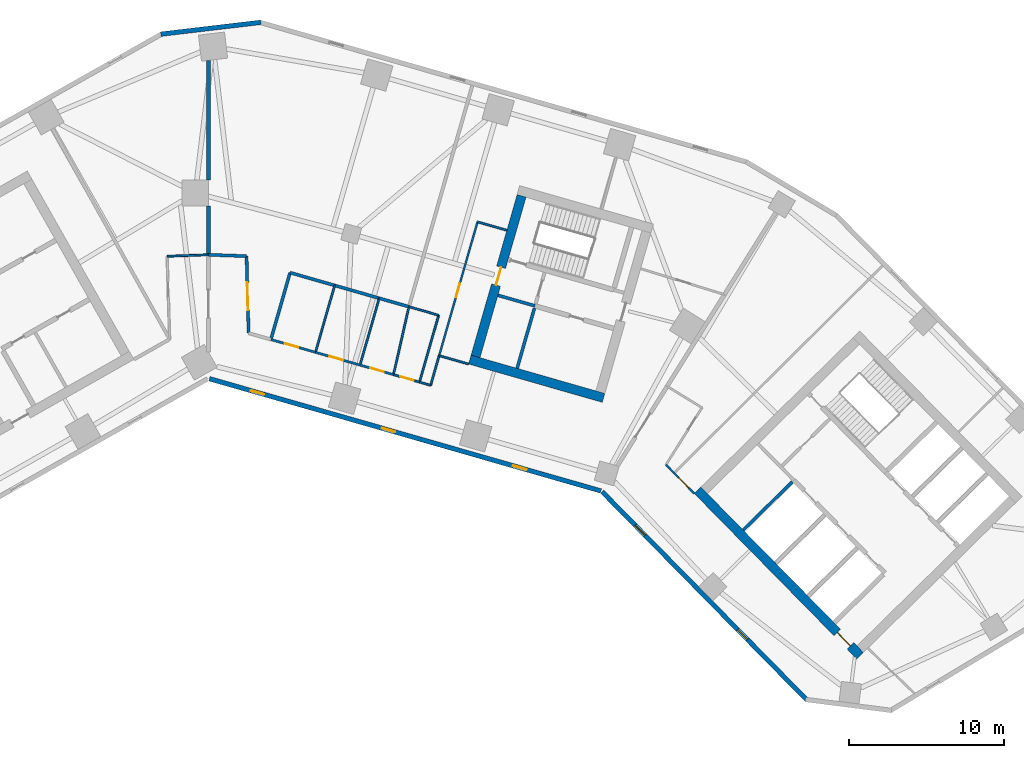
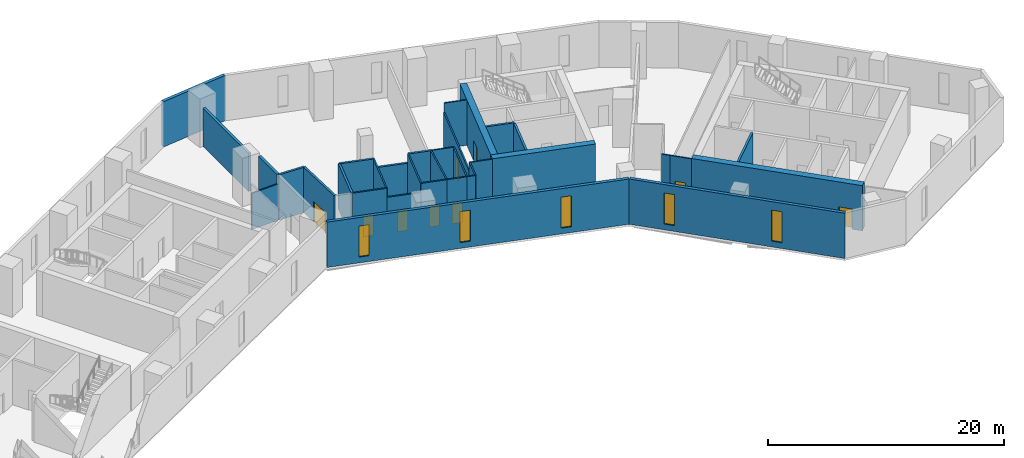
# One storey, part 5 of 10: 34 walls, 9 doors, 5 windows, 14 openings.
"""IFC4 building model written with IfcOpenShell, lengths in metres."""

from ifc_helpers import new_model, si_unit, direction, frame, frame_2d, origin, place, context, subcontext, project, spatial, rectangle, extrude, material, layer, layer_set, type_object, element, fill, save


model = new_model("IFC4")

# Units and contexts
model_context = context("Model", 3, precision=1e-05, world=origin(), true_north=direction((0.0, 1.0)))
body_context = subcontext(model_context, "Body", "Model", "MODEL_VIEW")
ifc_project = project(units=[si_unit("LENGTHUNIT", "METRE"), si_unit("AREAUNIT", "SQUARE_METRE"), si_unit("VOLUMEUNIT", "CUBIC_METRE"), si_unit("PLANEANGLEUNIT", "RADIAN"), si_unit("MASSUNIT", "GRAM", prefix="KILO")], contexts=[model_context])

# Site, building, storey
site_placement = place(None, origin())
site = spatial("IfcSite", under=ifc_project, at=site_placement, CompositionType="ELEMENT")
building_placement = place(site_placement, origin())
building = spatial("IfcBuilding", under=site, at=building_placement, Name="Binnacle Exchange Tower", CompositionType="ELEMENT")
storey_placement = place(building_placement, frame((0.0, 0.0, 61.5)))
storey = spatial("IfcBuildingStorey", under=building, at=storey_placement, Name="L12", CompositionType="ELEMENT", Elevation=61.5)

# Wall, opening, door
ifc_material_1 = material(Name="Concrete C70/85", Category="concrete")
ifc_layer_1 = layer(ifc_material_1, 0.60009765625)
ifc_layer_set_1 = layer_set([ifc_layer_1], Name="Core wall - outer 600")
wall_type_1 = type_object("IfcWallType", Name="Core wall - outer 600", PredefinedType="SOLIDWALL", material=ifc_layer_set_1)
wall_1_placement = place(storey_placement, frame((31.6455078125, 40.7626953125, 0.0), z_axis=(0.0, 0.0, 1.0), x_axis=(0.700911255944, -0.713248491965, 0.0)))
wall_1 = element("IfcWall", 1, at=wall_1_placement, inside=storey, type_object=wall_type_1, Name="Core wall CRWB1", PredefinedType="SOLIDWALL", context=body_context, shape_type="SweptSolid", body=[
    extrude(rectangle(XDim=15.0, YDim=0.60009765625, at=frame_2d((7.5, 0.0))), origin(), (0.0, 0.0, 1.0), 4.679931640625),
])
opening_1_placement = place(wall_1_placement, frame((12.89990234375, 0.0, 0.0)))
opening_1 = element("IfcOpeningElement", 2, at=opening_1_placement, cuts=wall_1, Name="Opening DB7", PredefinedType="OPENING", context=body_context, shape_type="SweptSolid", body=[
    extrude(rectangle(XDim=1.199951171875, YDim=2.10009765625, at=frame_2d((0.60009765625, 1.050048828125))), frame((0.0, 0.31005859375, 0.0), z_axis=(0.0, -1.0, 0.0), x_axis=(1.0, 0.0, 0.0)), (0.0, 0.0, 1.0), 0.6201171875),
])
ifc_material_2 = material(Name="Steel door leaf", Category="steel")
door_type_1 = type_object("IfcDoorType", Name="Fire door 1200", OperationType="NOTDEFINED", PredefinedType="DOOR", material=ifc_material_2)
door_1_placement = place(opening_1_placement, frame((1.199951171875, 0.0, 0.0), z_axis=(0.0, 0.0, 1.0), x_axis=(-1.0, 0.0, 0.0)))
door_1 = element("IfcDoor", 3, at=door_1_placement, inside=storey, type_object=door_type_1, Name="Lift lobby entrance door core B", OperationType="SINGLE_SWING_LEFT", OverallHeight=2.10009765625, OverallWidth=1.199951171875, PredefinedType="DOOR", context=body_context, shape_type="SweptSolid", body=[
    extrude(rectangle(XDim=1.199951171875, YDim=2.10009765625, at=frame_2d((0.60009765625, 1.050048828125))), frame((0.0, 0.02490234375, 0.0), z_axis=(0.0, -1.0, 0.0), x_axis=(1.0, 0.0, 0.0)), (0.0, 0.0, 1.0), 0.050048828125),
])
fill(opening_1, door_1)

# Wall
wall_2_placement = place(storey_placement, frame((16.91064453125, 49.22119140625, 0.0), z_axis=(0.0, 0.0, 1.0), x_axis=(0.96126248289, -0.275634611374, 0.0)))
element("IfcWall", 4, at=wall_2_placement, inside=storey, type_object=wall_type_1, Name="Core wall CRWD1", PredefinedType="SOLIDWALL", context=body_context, shape_type="SweptSolid", body=[
    extrude(rectangle(XDim=9.0, YDim=0.60009765625, at=frame_2d((4.5, 0.0))), origin(), (0.0, 0.0, 1.0), 4.679931640625),
])

# Wall, opening, door
wall_3_placement = place(storey_placement, frame((17.28173828125, 49.427001953125, 0.0), z_axis=(0.0, 0.0, 1.0), x_axis=(0.275631631629, 0.961263337304, 0.0)))
wall_3 = element("IfcWall", 5, at=wall_3_placement, inside=storey, type_object=wall_type_1, Name="Core wall CRWD7", PredefinedType="SOLIDWALL", context=body_context, shape_type="SweptSolid", body=[
    extrude(rectangle(XDim=10.800048828125, YDim=0.60009765625, at=frame_2d((5.39990234375, 0.0))), origin(), (0.0, 0.0, 1.0), 4.679931640625),
])
opening_2_placement = place(wall_3_placement, frame((4.800048828125, 0.0, 0.0)))
opening_2 = element("IfcOpeningElement", 6, at=opening_2_placement, cuts=wall_3, Name="Opening DD5", PredefinedType="OPENING", context=body_context, shape_type="SweptSolid", body=[
    extrude(rectangle(XDim=1.199951171875, YDim=2.10009765625, at=frame_2d((0.60009765625, 1.050048828125))), frame((0.0, 0.31005859375, 0.0), z_axis=(0.0, -1.0, 0.0), x_axis=(1.0, 0.0, 0.0)), (0.0, 0.0, 1.0), 0.6201171875),
])
door_2_placement = place(opening_2_placement, origin())
door_2 = element("IfcDoor", 7, at=door_2_placement, inside=storey, type_object=door_type_1, Name="Vestibule exit door VEST-W", OperationType="SINGLE_SWING_RIGHT", OverallHeight=2.10009765625, OverallWidth=1.199951171875, PredefinedType="DOOR", context=body_context, shape_type="SweptSolid", body=[
    extrude(rectangle(XDim=1.199951171875, YDim=2.10009765625, at=frame_2d((0.60009765625, 1.050048828125))), frame((0.0, 0.02490234375, 0.0), z_axis=(0.0, -1.0, 0.0), x_axis=(1.0, 0.0, 0.0)), (0.0, 0.0, 1.0), 0.050048828125),
])
fill(opening_2, door_2)

# Wall
ifc_material_3 = material(Name="Bronze aluminium cladding", Category="aluminium")
ifc_layer_2 = layer(ifc_material_3, 0.300048828125)
ifc_layer_set_2 = layer_set([ifc_layer_2], Name="External wall - spandrel 300")
wall_type_2 = type_object("IfcWallType", Name="External wall - spandrel 300", PredefinedType="STANDARD", material=ifc_layer_set_2)
wall_4_placement = place(storey_placement, frame((-3.076171875, 70.27294921875, 0.0), z_axis=(0.0, 0.0, 1.0), x_axis=(0.993067743007, 0.117543429416, 0.0)))
element("IfcWall", 8, at=wall_4_placement, inside=storey, type_object=wall_type_2, Name="External wall EW-F02 L12", PredefinedType="STANDARD", context=body_context, shape_type="SweptSolid", body=[
    extrude(rectangle(XDim=6.515625, YDim=0.300048828125, at=frame_2d((3.2578125, 0.0))), origin(), (0.0, 0.0, 1.0), 4.679931640625),
])

# Wall, openings, windows
wall_5_placement = place(storey_placement, frame((25.398193359375, 40.71728515625, 0.0), z_axis=(0.0, 0.0, 1.0), x_axis=(-0.961262423262, 0.275634819324, 0.0)))
wall_5 = element("IfcWall", 9, at=wall_5_placement, inside=storey, type_object=wall_type_2, Name="External wall EW-F08 L12", PredefinedType="STANDARD", context=body_context, shape_type="SweptSolid", body=[
    extrude(rectangle(XDim=26.358642578125, YDim=0.300048828125, at=frame_2d((13.17919921875, 0.0))), origin(), (0.0, 0.0, 1.0), 4.679931640625),
])
opening_3_placement = place(wall_5_placement, frame((22.6640625, 0.0, 0.60009765625)))
opening_3 = element("IfcOpeningElement", 10, at=opening_3_placement, cuts=wall_5, Name="Opening WS1", PredefinedType="OPENING", context=body_context, shape_type="SweptSolid", body=[
    extrude(rectangle(XDim=0.89990234375, YDim=3.199951171875, at=frame_2d((0.449951171875, 1.60009765625))), frame((0.0, 0.159912109375, 0.0), z_axis=(0.0, -1.0, 0.0), x_axis=(1.0, 0.0, 0.0)), (0.0, 0.0, 1.0), 0.320068359375),
])
opening_4_placement = place(wall_5_placement, frame((13.843505859375, 0.0, 0.60009765625)))
opening_4 = element("IfcOpeningElement", 11, at=opening_4_placement, cuts=wall_5, Name="Opening WS1", PredefinedType="OPENING", context=body_context, shape_type="SweptSolid", body=[
    extrude(rectangle(XDim=0.89990234375, YDim=3.199951171875, at=frame_2d((0.449951171875, 1.60009765625))), frame((0.0, 0.159912109375, 0.0), z_axis=(0.0, -1.0, 0.0), x_axis=(1.0, 0.0, 0.0)), (0.0, 0.0, 1.0), 0.320068359375),
])
opening_5_placement = place(wall_5_placement, frame((5.023193359375, 0.0, 0.60009765625)))
opening_5 = element("IfcOpeningElement", 12, at=opening_5_placement, cuts=wall_5, Name="Opening WS1", PredefinedType="OPENING", context=body_context, shape_type="SweptSolid", body=[
    extrude(rectangle(XDim=0.89990234375, YDim=3.199951171875, at=frame_2d((0.449951171875, 1.60009765625))), frame((0.0, 0.159912109375, 0.0), z_axis=(0.0, -1.0, 0.0), x_axis=(1.0, 0.0, 0.0)), (0.0, 0.0, 1.0), 0.320068359375),
])
ifc_material_4 = material(Name="Bronze anodised aluminium frame", Category="aluminium")
window_type = type_object("IfcWindowType", Name="WS1 WINDOW 900x3200", PartitioningType="SINGLE_PANEL", PredefinedType="WINDOW", material=ifc_material_4)
window_1_placement = place(opening_3_placement, origin())
window_1 = element("IfcWindow", 13, at=window_1_placement, inside=storey, type_object=window_type, Name="Window WS1 L12", OverallHeight=3.199951171875, OverallWidth=0.89990234375, PartitioningType="SINGLE_PANEL", PredefinedType="WINDOW", context=body_context, shape_type="SweptSolid", body=[
    extrude(rectangle(XDim=0.89990234375, YDim=3.199951171875, at=frame_2d((0.449951171875, 1.60009765625))), frame((0.0, 0.030029296875, 0.0), z_axis=(0.0, -1.0, 0.0), x_axis=(1.0, 0.0, 0.0)), (0.0, 0.0, 1.0), 0.06005859375),
])
fill(opening_3, window_1)
window_2_placement = place(opening_4_placement, origin())
window_2 = element("IfcWindow", 14, at=window_2_placement, inside=storey, type_object=window_type, Name="Window WS1 L12", OverallHeight=3.199951171875, OverallWidth=0.89990234375, PartitioningType="SINGLE_PANEL", PredefinedType="WINDOW", context=body_context, shape_type="SweptSolid", body=[
    extrude(rectangle(XDim=0.89990234375, YDim=3.199951171875, at=frame_2d((0.449951171875, 1.60009765625))), frame((0.0, 0.030029296875, 0.0), z_axis=(0.0, -1.0, 0.0), x_axis=(1.0, 0.0, 0.0)), (0.0, 0.0, 1.0), 0.06005859375),
])
fill(opening_4, window_2)
window_3_placement = place(opening_5_placement, origin())
window_3 = element("IfcWindow", 15, at=window_3_placement, inside=storey, type_object=window_type, Name="Window WS1 L12", OverallHeight=3.199951171875, OverallWidth=0.89990234375, PartitioningType="SINGLE_PANEL", PredefinedType="WINDOW", context=body_context, shape_type="SweptSolid", body=[
    extrude(rectangle(XDim=0.89990234375, YDim=3.199951171875, at=frame_2d((0.449951171875, 1.60009765625))), frame((0.0, 0.030029296875, 0.0), z_axis=(0.0, -1.0, 0.0), x_axis=(1.0, 0.0, 0.0)), (0.0, 0.0, 1.0), 0.06005859375),
])
fill(opening_5, window_3)

wall_6_placement = place(storey_placement, frame((38.727294921875, 27.18115234375, 0.0), z_axis=(0.0, 0.0, 1.0), x_axis=(-0.700906405975, 0.713253258011, 0.0)))
wall_6 = element("IfcWall", 16, at=wall_6_placement, inside=storey, type_object=wall_type_2, Name="External wall EW-F09 L12", PredefinedType="STANDARD", context=body_context, shape_type="SweptSolid", body=[
    extrude(rectangle(XDim=18.92333984375, YDim=0.300048828125, at=frame_2d((9.461669921875, 0.0))), origin(), (0.0, 0.0, 1.0), 4.679931640625),
])
opening_6_placement = place(wall_6_placement, frame((14.967041015625, 0.0, 0.60009765625)))
opening_6 = element("IfcOpeningElement", 17, at=opening_6_placement, cuts=wall_6, Name="Opening WS1", PredefinedType="OPENING", context=body_context, shape_type="SweptSolid", body=[
    extrude(rectangle(XDim=0.89990234375, YDim=3.199951171875, at=frame_2d((0.449951171875, 1.60009765625))), frame((0.0, 0.159912109375, 0.0), z_axis=(0.0, -1.0, 0.0), x_axis=(1.0, 0.0, 0.0)), (0.0, 0.0, 1.0), 0.320068359375),
])
opening_7_placement = place(wall_6_placement, frame((5.51171875, 0.0, 0.60009765625)))
opening_7 = element("IfcOpeningElement", 18, at=opening_7_placement, cuts=wall_6, Name="Opening WS1", PredefinedType="OPENING", context=body_context, shape_type="SweptSolid", body=[
    extrude(rectangle(XDim=0.89990234375, YDim=3.199951171875, at=frame_2d((0.449951171875, 1.60009765625))), frame((0.0, 0.159912109375, 0.0), z_axis=(0.0, -1.0, 0.0), x_axis=(1.0, 0.0, 0.0)), (0.0, 0.0, 1.0), 0.320068359375),
])
window_4_placement = place(opening_6_placement, origin())
window_4 = element("IfcWindow", 19, at=window_4_placement, inside=storey, type_object=window_type, Name="Window WS1 L12", OverallHeight=3.199951171875, OverallWidth=0.89990234375, PartitioningType="SINGLE_PANEL", PredefinedType="WINDOW", context=body_context, shape_type="SweptSolid", body=[
    extrude(rectangle(XDim=0.89990234375, YDim=3.199951171875, at=frame_2d((0.449951171875, 1.60009765625))), frame((0.0, 0.030029296875, 0.0), z_axis=(0.0, -1.0, 0.0), x_axis=(1.0, 0.0, 0.0)), (0.0, 0.0, 1.0), 0.06005859375),
])
fill(opening_6, window_4)
window_5_placement = place(opening_7_placement, origin())
window_5 = element("IfcWindow", 20, at=window_5_placement, inside=storey, type_object=window_type, Name="Window WS1 L12", OverallHeight=3.199951171875, OverallWidth=0.89990234375, PartitioningType="SINGLE_PANEL", PredefinedType="WINDOW", context=body_context, shape_type="SweptSolid", body=[
    extrude(rectangle(XDim=0.89990234375, YDim=3.199951171875, at=frame_2d((0.449951171875, 1.60009765625))), frame((0.0, 0.030029296875, 0.0), z_axis=(0.0, -1.0, 0.0), x_axis=(1.0, 0.0, 0.0)), (0.0, 0.0, 1.0), 0.06005859375),
])
fill(opening_7, window_5)

# Wall
ifc_material_5 = material(Name="Masonry block wall", Category="masonry")
ifc_layer_3 = layer(ifc_material_5, 0.199951171875)
ifc_layer_set_3 = layer_set([ifc_layer_3], Name="Fire wall - block 200")
wall_type_3 = type_object("IfcWallType", Name="Fire wall - block 200", PredefinedType="PARTITIONING", material=ifc_layer_set_3)
wall_7_placement = place(storey_placement, frame((0.0, 56.0, 0.0), z_axis=(0.0, 0.0, 1.0), x_axis=(0.999349313684, -0.036068673934, 0.0)))
element("IfcWall", 21, at=wall_7_placement, inside=storey, type_object=wall_type_3, Name="Partition W11", PredefinedType="PARTITIONING", context=body_context, shape_type="SweptSolid", body=[
    extrude(rectangle(XDim=2.470703125, YDim=0.199951171875, at=frame_2d((1.2353515625, 0.0))), origin(), (0.0, 0.0, 1.0), 4.679931640625),
])

# Wall, opening, door
wall_8_placement = place(storey_placement, frame((2.468994140625, 55.910888671875, 0.0), z_axis=(0.0, 0.0, 1.0), x_axis=(0.02651808123, -0.999648333849, 0.0)))
wall_8 = element("IfcWall", 22, at=wall_8_placement, inside=storey, type_object=wall_type_3, Name="Partition W13", PredefinedType="PARTITIONING", context=body_context, shape_type="SweptSolid", body=[
    extrude(rectangle(XDim=4.980712890625, YDim=0.199951171875, at=frame_2d((2.490234375, 0.0))), origin(), (0.0, 0.0, 1.0), 4.679931640625),
])
opening_8_placement = place(wall_8_placement, frame((1.699951171875, 0.0, 0.0)))
opening_8 = element("IfcOpeningElement", 23, at=opening_8_placement, cuts=wall_8, Name="Opening DL11-08", PredefinedType="OPENING", context=body_context, shape_type="SweptSolid", body=[
    extrude(rectangle(XDim=1.800048828125, YDim=2.10009765625, at=frame_2d((0.89990234375, 1.050048828125))), frame((0.0, 0.10986328125, 0.0), z_axis=(0.0, -1.0, 0.0), x_axis=(1.0, 0.0, 0.0)), (0.0, 0.0, 1.0), 0.219970703125),
])
door_type_2 = type_object("IfcDoorType", Name="Fire door 1800", OperationType="NOTDEFINED", PredefinedType="DOOR", material=ifc_material_2)
door_3_placement = place(opening_8_placement, origin())
door_3 = element("IfcDoor", 24, at=door_3_placement, inside=storey, type_object=door_type_2, Name="Door DL11-08", OperationType="DOUBLE_DOOR_SINGLE_SWING", OverallHeight=2.10009765625, OverallWidth=1.800048828125, PredefinedType="DOOR", context=body_context, shape_type="SweptSolid", body=[
    extrude(rectangle(XDim=1.800048828125, YDim=2.10009765625, at=frame_2d((0.89990234375, 1.050048828125))), frame((0.0, 0.02490234375, 0.0), z_axis=(0.0, -1.0, 0.0), x_axis=(1.0, 0.0, 0.0)), (0.0, 0.0, 1.0), 0.050048828125),
])
fill(opening_8, door_3)

# Walls
wall_9_placement = place(storey_placement, frame((4.04296875, 50.51806640625, 0.0), z_axis=(0.0, 0.0, 1.0), x_axis=(0.275745553681, 0.96123066411, 0.0)))
element("IfcWall", 25, at=wall_9_placement, inside=storey, type_object=wall_type_3, Name="Partition W15", PredefinedType="PARTITIONING", context=body_context, shape_type="SweptSolid", body=[
    extrude(rectangle(XDim=4.50048828125, YDim=0.199951171875, at=frame_2d((2.250244140625, 0.0))), origin(), (0.0, 0.0, 1.0), 4.679931640625),
])
wall_10_placement = place(storey_placement, frame((5.283935546875, 54.843994140625, 0.0), z_axis=(0.0, 0.0, 1.0), x_axis=(0.961243927922, -0.275699312717, 0.0)))
element("IfcWall", 26, at=wall_10_placement, inside=storey, type_object=wall_type_3, Name="Partition W17", PredefinedType="PARTITIONING", context=body_context, shape_type="SweptSolid", body=[
    extrude(rectangle(XDim=2.999267578125, YDim=0.199951171875, at=frame_2d((1.49951171875, 0.0))), origin(), (0.0, 0.0, 1.0), 4.679931640625),
])
wall_11_placement = place(storey_placement, frame((8.1669921875, 54.01708984375, 0.0), z_axis=(0.0, 0.0, 1.0), x_axis=(0.961247103494, -0.275688240636, 0.0)))
element("IfcWall", 27, at=wall_11_placement, inside=storey, type_object=wall_type_3, Name="Partition W20", PredefinedType="PARTITIONING", context=body_context, shape_type="SweptSolid", body=[
    extrude(rectangle(XDim=3.000244140625, YDim=0.199951171875, at=frame_2d((1.5, 0.0))), origin(), (0.0, 0.0, 1.0), 3.741943359375),
])
wall_12_placement = place(storey_placement, frame((11.051025390625, 53.18994140625, 0.0), z_axis=(0.0, 0.0, 1.0), x_axis=(0.961316434736, -0.275446387355, 0.0)))
element("IfcWall", 28, at=wall_12_placement, inside=storey, type_object=wall_type_3, Name="Partition W23", PredefinedType="PARTITIONING", context=body_context, shape_type="SweptSolid", body=[
    extrude(rectangle(XDim=2.00048828125, YDim=0.199951171875, at=frame_2d((1.000244140625, 0.0))), origin(), (0.0, 0.0, 1.0), 4.679931640625),
])
ifc_material_6 = material(Name="Concrete fire wall C30/37", Category="concrete")
ifc_layer_4 = layer(ifc_material_6, 0.25)
ifc_layer_set_4 = layer_set([ifc_layer_4], Name="Fire wall - compartment 250")
wall_type_4 = type_object("IfcWallType", Name="Fire wall - compartment 250", PredefinedType="PARTITIONING", material=ifc_layer_set_4)
wall_13_placement = place(storey_placement, frame((0.0, 56.0, 0.0), z_axis=(0.0, 0.0, 1.0), x_axis=(0.0, 1.0, 0.0)))
element("IfcWall", 29, at=wall_13_placement, inside=storey, type_object=wall_type_4, Name="Fire Wall W10", PredefinedType="PARTITIONING", context=body_context, shape_type="SweptSolid", body=[
    extrude(rectangle(XDim=3.14990234375, YDim=0.25, at=frame_2d((1.574951171875, 0.0))), origin(), (0.0, 0.0, 1.0), 4.679931640625),
])
wall_14_placement = place(storey_placement, frame((0.0, 60.85009765625, 0.0), z_axis=(0.0, 0.0, 1.0), x_axis=(0.0, 1.0, 0.0)))
element("IfcWall", 30, at=wall_14_placement, inside=storey, type_object=wall_type_4, Name="Fire Wall W12", PredefinedType="PARTITIONING", context=body_context, shape_type="SweptSolid", body=[
    extrude(rectangle(XDim=7.722900390625, YDim=0.25, at=frame_2d((3.861328125, 0.0))), origin(), (0.0, 0.0, 1.0), 3.951904296875),
])

# Wall, opening, door
ifc_material_7 = material(Name="Gypsum partition fire rated")
ifc_layer_5 = layer(ifc_material_7, 0.14990234375)
ifc_layer_set_5 = layer_set([ifc_layer_5], Name="Fire-rated partition 150")
wall_type_5 = type_object("IfcWallType", Name="Fire-rated partition 150", PredefinedType="PARTITIONING", material=ifc_layer_set_5)
wall_15_placement = place(storey_placement, frame((4.04296875, 50.51806640625, 0.0), z_axis=(0.0, 0.0, 1.0), x_axis=(0.961247103494, -0.275688240636, 0.0)))
wall_15 = element("IfcWall", 31, at=wall_15_placement, inside=storey, type_object=wall_type_5, Name="Partition W16", PredefinedType="PARTITIONING", context=body_context, shape_type="SweptSolid", body=[
    extrude(rectangle(XDim=3.000244140625, YDim=0.14990234375, at=frame_2d((1.5, 0.0))), origin(), (0.0, 0.0, 1.0), 4.679931640625),
])
opening_9_placement = place(wall_15_placement, frame((0.949951171875, 0.0, 0.0)))
opening_9 = element("IfcOpeningElement", 32, at=opening_9_placement, cuts=wall_15, Name="Opening DL11-04", PredefinedType="OPENING", context=body_context, shape_type="SweptSolid", body=[
    extrude(rectangle(XDim=0.89990234375, YDim=2.10009765625, at=frame_2d((0.449951171875, 1.050048828125))), frame((0.0, 0.0849609375, 0.0), z_axis=(0.0, -1.0, 0.0), x_axis=(1.0, 0.0, 0.0)), (0.0, 0.0, 1.0), 0.169921875),
])
door_type_3 = type_object("IfcDoorType", Name="Fire door 900", OperationType="NOTDEFINED", PredefinedType="DOOR", material=ifc_material_2)
door_4_placement = place(opening_9_placement, origin())
door_4 = element("IfcDoor", 33, at=door_4_placement, inside=storey, type_object=door_type_3, Name="Door DL11-04", OperationType="SINGLE_SWING_LEFT", OverallHeight=2.10009765625, OverallWidth=0.89990234375, PredefinedType="DOOR", context=body_context, shape_type="SweptSolid", body=[
    extrude(rectangle(XDim=0.89990234375, YDim=2.10009765625, at=frame_2d((0.449951171875, 1.050048828125))), frame((0.0, 0.02490234375, 0.0), z_axis=(0.0, -1.0, 0.0), x_axis=(1.0, 0.0, 0.0)), (0.0, 0.0, 1.0), 0.050048828125),
])
fill(opening_9, door_4)

wall_16_placement = place(storey_placement, frame((6.927001953125, 49.69091796875, 0.0), z_axis=(0.0, 0.0, 1.0), x_axis=(0.961268664977, -0.27561305073, 0.0)))
wall_16 = element("IfcWall", 34, at=wall_16_placement, inside=storey, type_object=wall_type_5, Name="Partition W19", PredefinedType="PARTITIONING", context=body_context, shape_type="SweptSolid", body=[
    extrude(rectangle(XDim=3.000244140625, YDim=0.14990234375, at=frame_2d((1.5, 0.0))), origin(), (0.0, 0.0, 1.0), 3.741943359375),
])
opening_10_placement = place(wall_16_placement, frame((0.949951171875, 0.0, 0.0)))
opening_10 = element("IfcOpeningElement", 35, at=opening_10_placement, cuts=wall_16, Name="Opening DL11-05", PredefinedType="OPENING", context=body_context, shape_type="SweptSolid", body=[
    extrude(rectangle(XDim=0.89990234375, YDim=2.10009765625, at=frame_2d((0.449951171875, 1.050048828125))), frame((0.0, 0.0849609375, 0.0), z_axis=(0.0, -1.0, 0.0), x_axis=(1.0, 0.0, 0.0)), (0.0, 0.0, 1.0), 0.169921875),
])
door_5_placement = place(opening_10_placement, origin())
door_5 = element("IfcDoor", 36, at=door_5_placement, inside=storey, type_object=door_type_3, Name="Door DL11-05", OperationType="SINGLE_SWING_LEFT", OverallHeight=2.10009765625, OverallWidth=0.89990234375, PredefinedType="DOOR", context=body_context, shape_type="SweptSolid", body=[
    extrude(rectangle(XDim=0.89990234375, YDim=2.10009765625, at=frame_2d((0.449951171875, 1.050048828125))), frame((0.0, 0.02490234375, 0.0), z_axis=(0.0, -1.0, 0.0), x_axis=(1.0, 0.0, 0.0)), (0.0, 0.0, 1.0), 0.050048828125),
])
fill(opening_10, door_5)

wall_17_placement = place(storey_placement, frame((9.81103515625, 48.864013671875, 0.0), z_axis=(0.0, 0.0, 1.0), x_axis=(0.961236680145, -0.275724581318, 0.0)))
wall_17 = element("IfcWall", 37, at=wall_17_placement, inside=storey, type_object=wall_type_5, Name="Partition W22", PredefinedType="PARTITIONING", context=body_context, shape_type="SweptSolid", body=[
    extrude(rectangle(XDim=2.2490234375, YDim=0.14990234375, at=frame_2d((1.12451171875, 0.0))), origin(), (0.0, 0.0, 1.0), 4.679931640625),
])
opening_11_placement = place(wall_17_placement, frame((0.699951171875, 0.0, 0.0)))
opening_11 = element("IfcOpeningElement", 38, at=opening_11_placement, cuts=wall_17, Name="Opening DL11-06", PredefinedType="OPENING", context=body_context, shape_type="SweptSolid", body=[
    extrude(rectangle(XDim=0.89990234375, YDim=2.10009765625, at=frame_2d((0.449951171875, 1.050048828125))), frame((0.0, 0.0849609375, 0.0), z_axis=(0.0, -1.0, 0.0), x_axis=(1.0, 0.0, 0.0)), (0.0, 0.0, 1.0), 0.169921875),
])
door_6_placement = place(opening_11_placement, origin())
door_6 = element("IfcDoor", 39, at=door_6_placement, inside=storey, type_object=door_type_3, Name="Door DL11-06", OperationType="SINGLE_SWING_RIGHT", OverallHeight=2.10009765625, OverallWidth=0.89990234375, PredefinedType="DOOR", context=body_context, shape_type="SweptSolid", body=[
    extrude(rectangle(XDim=0.89990234375, YDim=2.10009765625, at=frame_2d((0.449951171875, 1.050048828125))), frame((0.0, 0.02490234375, 0.0), z_axis=(0.0, -1.0, 0.0), x_axis=(1.0, 0.0, 0.0)), (0.0, 0.0, 1.0), 0.050048828125),
])
fill(opening_11, door_6)

# Walls
ifc_material_8 = material(Name="Gypsum partition")
ifc_layer_6 = layer(ifc_material_8, 0.125)
ifc_layer_set_6 = layer_set([ifc_layer_6], Name="Partition 125")
wall_type_6 = type_object("IfcWallType", Name="Partition 125", PredefinedType="PARTITIONING", material=ifc_layer_set_6)
wall_18_placement = place(storey_placement, frame((-2.669921875, 55.904052734375, 0.0), z_axis=(0.0, 0.0, 1.0), x_axis=(0.999354913865, 0.03591317494, 0.0)))
element("IfcWall", 40, at=wall_18_placement, inside=storey, type_object=wall_type_6, Name="Partition W08", PredefinedType="PARTITIONING", context=body_context, shape_type="SweptSolid", body=[
    extrude(rectangle(XDim=2.671630859375, YDim=0.125, at=frame_2d((1.3359375, 0.0))), origin(), (0.0, 0.0, 1.0), 3.741943359375),
])
wall_19_placement = place(storey_placement, frame((6.927001953125, 49.69091796875, 0.0), z_axis=(0.0, 0.0, 1.0), x_axis=(0.275530671241, 0.961292280841, 0.0)))
element("IfcWall", 41, at=wall_19_placement, inside=storey, type_object=wall_type_6, Name="Partition W18", PredefinedType="PARTITIONING", context=body_context, shape_type="SweptSolid", body=[
    extrude(rectangle(XDim=4.50048828125, YDim=0.125, at=frame_2d((2.250244140625, 0.0))), origin(), (0.0, 0.0, 1.0), 4.679931640625),
])
wall_20_placement = place(storey_placement, frame((9.81103515625, 48.864013671875, 0.0), z_axis=(0.0, 0.0, 1.0), x_axis=(0.275545040649, 0.96128816209, 0.0)))
element("IfcWall", 42, at=wall_20_placement, inside=storey, type_object=wall_type_6, Name="Partition W21", PredefinedType="PARTITIONING", context=body_context, shape_type="SweptSolid", body=[
    extrude(rectangle(XDim=4.500244140625, YDim=0.125, at=frame_2d((2.25, 0.0))), origin(), (0.0, 0.0, 1.0), 4.679931640625),
])
wall_21_placement = place(storey_placement, frame((11.972900390625, 48.243896484375, 0.0), z_axis=(0.0, 0.0, 1.0), x_axis=(0.222117362571, 0.975019936845, 0.0)))
element("IfcWall", 43, at=wall_21_placement, inside=storey, type_object=wall_type_6, Name="Partition W24", PredefinedType="PARTITIONING", context=body_context, shape_type="SweptSolid", body=[
    extrude(rectangle(XDim=4.507568359375, YDim=0.125, at=frame_2d((2.25390625, 0.0))), origin(), (0.0, 0.0, 1.0), 4.679931640625),
])

# Wall, opening, door
wall_22_placement = place(storey_placement, frame((11.972900390625, 48.243896484375, 0.0), z_axis=(0.0, 0.0, 1.0), x_axis=(0.96136592135, -0.275273618907, 0.0)))
wall_22 = element("IfcWall", 44, at=wall_22_placement, inside=storey, type_object=wall_type_6, Name="Partition W25", PredefinedType="PARTITIONING", context=body_context, shape_type="SweptSolid", body=[
    extrude(rectangle(XDim=1.750732421875, YDim=0.125, at=frame_2d((0.87548828125, 0.0))), origin(), (0.0, 0.0, 1.0), 4.679931640625),
])
opening_12_placement = place(wall_22_placement, frame((0.449951171875, 0.0, 0.0)))
opening_12 = element("IfcOpeningElement", 45, at=opening_12_placement, cuts=wall_22, Name="Opening DL11-07", PredefinedType="OPENING", context=body_context, shape_type="SweptSolid", body=[
    extrude(rectangle(XDim=0.89990234375, YDim=2.10009765625, at=frame_2d((0.449951171875, 1.050048828125))), frame((0.0, 0.072509765625, 0.0), z_axis=(0.0, -1.0, 0.0), x_axis=(1.0, 0.0, 0.0)), (0.0, 0.0, 1.0), 0.14501953125),
])
ifc_material_9 = material(Name="Timber door leaf", Category="wood")
door_type_4 = type_object("IfcDoorType", Name="Door 900", OperationType="NOTDEFINED", PredefinedType="DOOR", material=ifc_material_9)
door_7_placement = place(opening_12_placement, origin())
door_7 = element("IfcDoor", 46, at=door_7_placement, inside=storey, type_object=door_type_4, Name="Door DL11-07", OperationType="SINGLE_SWING_RIGHT", OverallHeight=2.10009765625, OverallWidth=0.89990234375, PredefinedType="DOOR", context=body_context, shape_type="SweptSolid", body=[
    extrude(rectangle(XDim=0.89990234375, YDim=2.10009765625, at=frame_2d((0.449951171875, 1.050048828125))), frame((0.0, 0.02490234375, 0.0), z_axis=(0.0, -1.0, 0.0), x_axis=(1.0, 0.0, 0.0)), (0.0, 0.0, 1.0), 0.050048828125),
])
fill(opening_12, door_7)

# Walls
wall_23_placement = place(storey_placement, frame((12.97412109375, 52.638916015625, 0.0), z_axis=(0.0, 0.0, 1.0), x_axis=(0.961270097305, -0.275608055084, 0.0)))
element("IfcWall", 47, at=wall_23_placement, inside=storey, type_object=wall_type_6, Name="Partition W26", PredefinedType="PARTITIONING", context=body_context, shape_type="SweptSolid", body=[
    extrude(rectangle(XDim=1.999267578125, YDim=0.125, at=frame_2d((0.99951171875, 0.0))), origin(), (0.0, 0.0, 1.0), 4.679931640625),
])
wall_24_placement = place(storey_placement, frame((13.656005859375, 47.761962890625, 0.0), z_axis=(0.0, 0.0, 1.0), x_axis=(0.961154610169, -0.276010534854, 0.0)))
element("IfcWall", 48, at=wall_24_placement, inside=storey, type_object=wall_type_6, Name="Partition W28", PredefinedType="PARTITIONING", context=body_context, shape_type="SweptSolid", body=[
    extrude(rectangle(XDim=0.75, YDim=0.125, at=frame_2d((0.375, 0.0))), origin(), (0.0, 0.0, 1.0), 4.679931640625),
])
wall_25_placement = place(storey_placement, frame((13.656005859375, 47.761962890625, 0.0), z_axis=(0.0, 0.0, 1.0), x_axis=(0.275545040649, 0.96128816209, 0.0)))
element("IfcWall", 49, at=wall_25_placement, inside=storey, type_object=wall_type_6, Name="Partition W29", PredefinedType="PARTITIONING", context=body_context, shape_type="SweptSolid", body=[
    extrude(rectangle(XDim=4.500244140625, YDim=0.125, at=frame_2d((2.25, 0.0))), origin(), (0.0, 0.0, 1.0), 4.679931640625),
])
wall_26_placement = place(storey_placement, frame((14.376953125, 47.554931640625, 0.0), z_axis=(0.0, 0.0, 1.0), x_axis=(0.275446387355, 0.961316434736, 0.0)))
element("IfcWall", 50, at=wall_26_placement, inside=storey, type_object=wall_type_6, Name="Partition W30", PredefinedType="PARTITIONING", context=body_context, shape_type="SweptSolid", body=[
    extrude(rectangle(XDim=2.00048828125, YDim=0.125, at=frame_2d((1.000244140625, 0.0))), origin(), (0.0, 0.0, 1.0), 4.679931640625),
])
wall_27_placement = place(storey_placement, frame((14.927978515625, 49.47802734375, 0.0), z_axis=(0.0, 0.0, 1.0), x_axis=(0.961243778232, -0.27569983462, 0.0)))
element("IfcWall", 51, at=wall_27_placement, inside=storey, type_object=wall_type_6, Name="Partition W31", PredefinedType="PARTITIONING", context=body_context, shape_type="SweptSolid", body=[
    extrude(rectangle(XDim=1.9765625, YDim=0.125, at=frame_2d((0.98828125, 0.0))), origin(), (0.0, 0.0, 1.0), 4.679931640625),
])

# Wall, opening, door
wall_28_placement = place(storey_placement, frame((14.927978515625, 49.47802734375, 0.0), z_axis=(0.0, 0.0, 1.0), x_axis=(0.275674053528, 0.961251172281, 0.0)))
wall_28 = element("IfcWall", 52, at=wall_28_placement, inside=storey, type_object=wall_type_6, Name="Partition W32", PredefinedType="PARTITIONING", context=body_context, shape_type="SweptSolid", body=[
    extrude(rectangle(XDim=8.99951171875, YDim=0.125, at=frame_2d((4.499755859375, 0.0))), origin(), (0.0, 0.0, 1.0), 3.741943359375),
])
opening_13_placement = place(wall_28_placement, frame((3.949951171875, 0.0, 0.0)))
opening_13 = element("IfcOpeningElement", 53, at=opening_13_placement, cuts=wall_28, Name="Opening DL11-09", PredefinedType="OPENING", context=body_context, shape_type="SweptSolid", body=[
    extrude(rectangle(XDim=0.89990234375, YDim=2.10009765625, at=frame_2d((0.449951171875, 1.050048828125))), frame((0.0, 0.072509765625, 0.0), z_axis=(0.0, -1.0, 0.0), x_axis=(1.0, 0.0, 0.0)), (0.0, 0.0, 1.0), 0.14501953125),
])
door_8_placement = place(opening_13_placement, origin())
door_8 = element("IfcDoor", 54, at=door_8_placement, inside=storey, type_object=door_type_4, Name="Door DL11-09", OperationType="SINGLE_SWING_LEFT", OverallHeight=2.10009765625, OverallWidth=0.89990234375, PredefinedType="DOOR", context=body_context, shape_type="SweptSolid", body=[
    extrude(rectangle(XDim=0.89990234375, YDim=2.10009765625, at=frame_2d((0.449951171875, 1.050048828125))), frame((0.0, 0.02490234375, 0.0), z_axis=(0.0, -1.0, 0.0), x_axis=(1.0, 0.0, 0.0)), (0.0, 0.0, 1.0), 0.050048828125),
])
fill(opening_13, door_8)

# Walls
wall_29_placement = place(storey_placement, frame((17.408935546875, 58.12890625, 0.0), z_axis=(0.0, 0.0, 1.0), x_axis=(0.961253165474, -0.275667103345, 0.0)))
element("IfcWall", 55, at=wall_29_placement, inside=storey, type_object=wall_type_6, Name="Partition W33", PredefinedType="PARTITIONING", context=body_context, shape_type="SweptSolid", body=[
    extrude(rectangle(XDim=1.976806640625, YDim=0.125, at=frame_2d((0.98828125, 0.0))), origin(), (0.0, 0.0, 1.0), 4.679931640625),
])
wall_30_placement = place(storey_placement, frame((29.60009765625, 42.416015625, 0.0), z_axis=(0.0, 0.0, 1.0), x_axis=(0.701711125926, -0.71246157493, 0.0)))
element("IfcWall", 56, at=wall_30_placement, inside=storey, type_object=wall_type_6, Name="Partition W37", PredefinedType="PARTITIONING", context=body_context, shape_type="SweptSolid", body=[
    extrude(rectangle(XDim=0.74951171875, YDim=0.125, at=frame_2d((0.374755859375, 0.0))), origin(), (0.0, 0.0, 1.0), 4.679931640625),
])

# Wall, opening, door
wall_31_placement = place(storey_placement, frame((30.1259765625, 41.882080078125, 0.0), z_axis=(0.0, 0.0, 1.0), x_axis=(0.700593717615, -0.713560398872, 0.0)))
wall_31 = element("IfcWall", 57, at=wall_31_placement, inside=storey, type_object=wall_type_6, Name="Partition W41", PredefinedType="PARTITIONING", context=body_context, shape_type="SweptSolid", body=[
    extrude(rectangle(XDim=1.864013671875, YDim=0.125, at=frame_2d((0.93212890625, 0.0))), origin(), (0.0, 0.0, 1.0), 4.679931640625),
])
opening_14_placement = place(wall_31_placement, frame((0.449951171875, 0.0, 0.0)))
opening_14 = element("IfcOpeningElement", 58, at=opening_14_placement, cuts=wall_31, Name="Opening DL11-12", PredefinedType="OPENING", context=body_context, shape_type="SweptSolid", body=[
    extrude(rectangle(XDim=0.89990234375, YDim=2.10009765625, at=frame_2d((0.449951171875, 1.050048828125))), frame((0.0, 0.072509765625, 0.0), z_axis=(0.0, -1.0, 0.0), x_axis=(1.0, 0.0, 0.0)), (0.0, 0.0, 1.0), 0.14501953125),
])
door_9_placement = place(opening_14_placement, origin())
door_9 = element("IfcDoor", 59, at=door_9_placement, inside=storey, type_object=door_type_4, Name="Door DL11-12", OperationType="SINGLE_SWING_LEFT", OverallHeight=2.10009765625, OverallWidth=0.89990234375, PredefinedType="DOOR", context=body_context, shape_type="SweptSolid", body=[
    extrude(rectangle(XDim=0.89990234375, YDim=2.10009765625, at=frame_2d((0.449951171875, 1.050048828125))), frame((0.0, 0.02490234375, 0.0), z_axis=(0.0, -1.0, 0.0), x_axis=(1.0, 0.0, 0.0)), (0.0, 0.0, 1.0), 0.050048828125),
])
fill(opening_14, door_9)

# Walls
ifc_layer_7 = layer(ifc_material_5, 0.199951171875)
ifc_layer_set_7 = layer_set([ifc_layer_7], Name="Riser wall 200")
wall_type_7 = type_object("IfcWallType", Name="Riser wall 200", PredefinedType="SOLIDWALL", material=ifc_layer_set_7)
wall_32_placement = place(storey_placement, frame((34.59326171875, 38.19140625, 0.0), z_axis=(0.0, 0.0, 1.0), x_axis=(0.713252216116, 0.700907466222, 0.0)))
element("IfcWall", 60, at=wall_32_placement, inside=storey, type_object=wall_type_7, Name="Core wall CRWB9", PredefinedType="SOLIDWALL", context=body_context, shape_type="SweptSolid", body=[
    extrude(rectangle(XDim=4.44970703125, YDim=0.199951171875, at=frame_2d((2.224853515625, 0.0))), origin(), (0.0, 0.0, 1.0), 4.679931640625),
])
wall_33_placement = place(storey_placement, frame((18.727783203125, 53.381591796875, 0.0), z_axis=(0.0, 0.0, 1.0), x_axis=(0.961247070632, -0.275688355216, 0.0)))
element("IfcWall", 61, at=wall_33_placement, inside=storey, type_object=wall_type_7, Name="Core wall CRWD2", PredefinedType="SOLIDWALL", context=body_context, shape_type="SweptSolid", body=[
    extrude(rectangle(XDim=2.5, YDim=0.199951171875, at=frame_2d((1.25, 0.0))), origin(), (0.0, 0.0, 1.0), 4.679931640625),
])
wall_34_placement = place(storey_placement, frame((19.97314453125, 48.6552734375, 0.0), z_axis=(0.0, 0.0, 1.0), x_axis=(0.275668441653, 0.961252781674, 0.0)))
element("IfcWall", 62, at=wall_34_placement, inside=storey, type_object=wall_type_7, Name="Core wall CRWD8", PredefinedType="SOLIDWALL", context=body_context, shape_type="SweptSolid", body=[
    extrude(rectangle(XDim=4.050048828125, YDim=0.199951171875, at=frame_2d((2.02490234375, 0.0))), origin(), (0.0, 0.0, 1.0), 4.679931640625),
])

save(model, "model.ifc")
